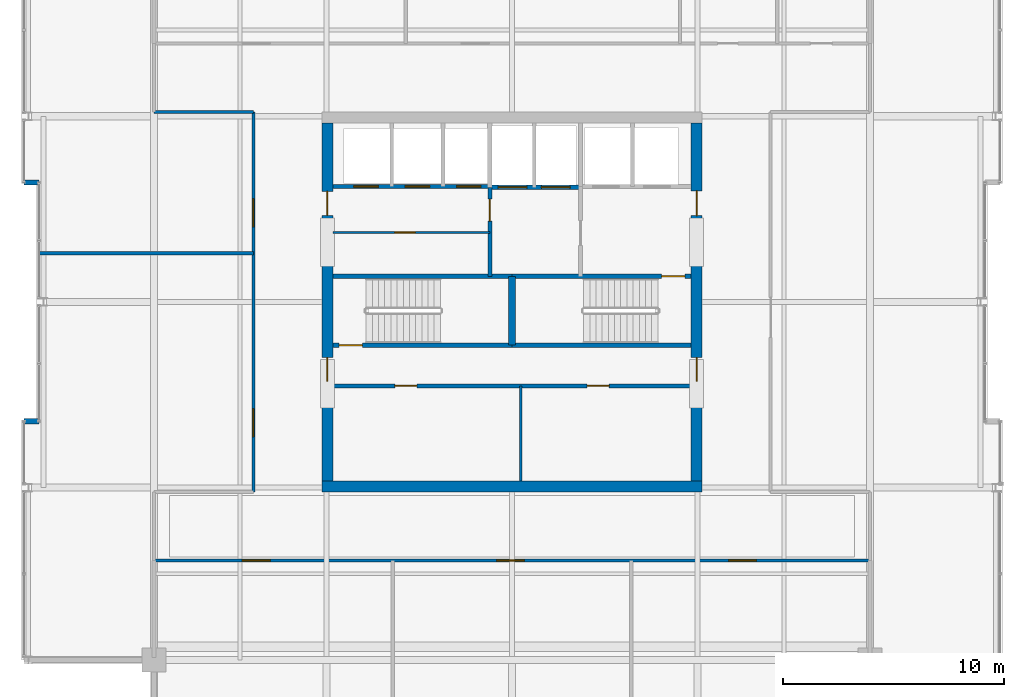
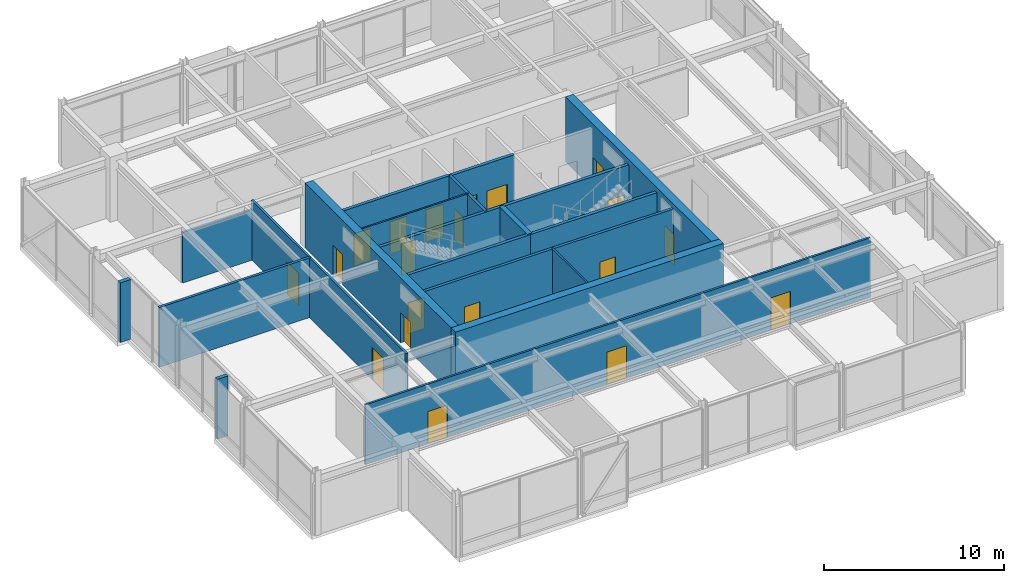
# One storey, part 29 of 33: 20 doors, 20 walls, 20 openings.
"""IFC4 building model written with IfcOpenShell, lengths in metres."""

from ifc_helpers import new_model, si_unit, direction, frame, frame_2d, origin, place, context, subcontext, project, spatial, rectangle, extrude, material, layer, layer_set, type_object, element, fill, save


model = new_model("IFC4")

# Units and contexts
model_context = context("Model", 3, precision=1e-05, world=origin(), true_north=direction((0.0, 1.0)))
body_context = subcontext(model_context, "Body", "Model", "MODEL_VIEW")
ifc_project = project(units=[si_unit("LENGTHUNIT", "METRE"), si_unit("AREAUNIT", "SQUARE_METRE"), si_unit("VOLUMEUNIT", "CUBIC_METRE"), si_unit("PLANEANGLEUNIT", "RADIAN"), si_unit("MASSUNIT", "GRAM", prefix="KILO")], contexts=[model_context])

# Site, building, storey
site_placement = place(None, origin())
site = spatial("IfcSite", under=ifc_project, at=site_placement, CompositionType="ELEMENT")
building_placement = place(site_placement, origin())
building = spatial("IfcBuilding", under=site, at=building_placement, Name="Drelvath Grand Hotel", CompositionType="ELEMENT")
storey_placement = place(building_placement, frame((0.0, 0.0, 298.60009765625)))
storey = spatial("IfcBuildingStorey", under=building, at=storey_placement, Name="L78", CompositionType="ELEMENT", Elevation=298.60009765625)

# Wall, opening, door
ifc_material_1 = material(Name="Gypsum Partition Board")
ifc_layer_1 = layer(ifc_material_1, 0.10009765625)
ifc_layer_set_1 = layer_set([ifc_layer_1], Name="Gypsum Partition Board")
wall_type_1 = type_object("IfcWallType", Name="Core Closet Partition 100", PredefinedType="PARTITIONING", material=ifc_layer_set_1)
wall_1_placement = place(storey_placement, frame((-8.10009765625, 30.139892578125, 0.0), z_axis=(0.0, 0.0, 1.0), x_axis=(1.0, 0.0, 0.0)))
wall_1 = element("IfcWall", 1, at=wall_1_placement, inside=storey, type_object=wall_type_1, Name="L78 High-Rise Lobby Closet Wall", PredefinedType="PARTITIONING", context=body_context, shape_type="SweptSolid", body=[
    extrude(rectangle(XDim=7.10009765625, YDim=0.10009765625, at=frame_2d((3.550048828125, 0.0))), origin(), (0.0, 0.0, 1.0), 4.0498046875),
])
opening_1_placement = place(wall_1_placement, frame((2.800048828125, 0.0, 0.0)))
opening_1 = element("IfcOpeningElement", 2, at=opening_1_placement, cuts=wall_1, Name="Opening D-L78-014", PredefinedType="OPENING", context=body_context, shape_type="SweptSolid", body=[
    extrude(rectangle(XDim=0.919921875, YDim=2.10009765625, at=frame_2d((0.4599609375, 1.050048828125))), frame((0.0, 0.06005859375, 0.0), z_axis=(0.0, -1.0, 0.0), x_axis=(1.0, 0.0, 0.0)), (0.0, 0.0, 1.0), 0.1201171875),
])
ifc_material_2 = material(Name="Painted Steel S275", Category="steel")
door_type_1 = type_object("IfcDoorType", Name="Staff Utility Door 920x2100", OperationType="NOTDEFINED", PredefinedType="DOOR", material=ifc_material_2)
door_1_placement = place(opening_1_placement, origin())
door_1 = element("IfcDoor", 3, at=door_1_placement, inside=storey, type_object=door_type_1, Name="L78 Core Telecom Door", OperationType="SINGLE_SWING_LEFT", OverallHeight=2.10009765625, OverallWidth=0.919921875, PredefinedType="DOOR", context=body_context, shape_type="SweptSolid", body=[
    extrude(rectangle(XDim=0.919921875, YDim=2.10009765625, at=frame_2d((0.4599609375, 1.050048828125))), frame((0.0, 0.02490234375, 0.0), z_axis=(0.0, -1.0, 0.0), x_axis=(1.0, 0.0, 0.0)), (0.0, 0.0, 1.0), 0.050048828125),
])
fill(opening_1, door_1)

# Wall
wall_2_placement = place(storey_placement, frame((0.39990234375, 18.89990234375, 0.0), z_axis=(0.0, 0.0, 1.0), x_axis=(0.0, 1.0, 0.0)))
element("IfcWall", 4, at=wall_2_placement, inside=storey, type_object=wall_type_1, Name="L78 Upper Core Split 0", PredefinedType="PARTITIONING", context=body_context, shape_type="SweptSolid", body=[
    extrude(rectangle(XDim=4.300048828125, YDim=0.10009765625, at=frame_2d((2.14990234375, 0.0))), origin(), (0.0, 0.0, 1.0), 4.0498046875),
])

# Wall, openings, doors
ifc_material_3 = material(Name="Concrete C40/50", Category="concrete")
ifc_layer_2 = layer(ifc_material_3, 0.199951171875)
ifc_layer_set_2 = layer_set([ifc_layer_2], Name="Concrete C40/50")
wall_type_2 = type_object("IfcWallType", Name="Core Hoistway Fire Wall 200", PredefinedType="SOLIDWALL", material=ifc_layer_set_2)
wall_3_placement = place(storey_placement, frame((-1.0, 32.179931640625, 0.0), z_axis=(0.0, 0.0, 1.0), x_axis=(1.0, 0.0, 0.0)))
wall_3 = element("IfcWall", 5, at=wall_3_placement, inside=storey, type_object=wall_type_2, Name="L78 Service Lift Hoistway Wall", PredefinedType="SOLIDWALL", context=body_context, shape_type="SweptSolid", body=[
    extrude(rectangle(XDim=4.10009765625, YDim=0.199951171875, at=frame_2d((2.050048828125, 0.0))), origin(), (0.0, 0.0, 1.0), 4.0498046875),
])
opening_2_placement = place(wall_3_placement, frame((0.3701171875, 0.0, 0.0)))
opening_2 = element("IfcOpeningElement", 6, at=opening_2_placement, cuts=wall_3, Name="Opening LD-SV-2", PredefinedType="OPENING", context=body_context, shape_type="SweptSolid", body=[
    extrude(rectangle(XDim=1.300048828125, YDim=2.199951171875, at=frame_2d((0.64990234375, 1.10009765625))), frame((0.0, 0.10986328125, 0.0), z_axis=(0.0, -1.0, 0.0), x_axis=(1.0, 0.0, 0.0)), (0.0, 0.0, 1.0), 0.219970703125),
])
opening_3_placement = place(wall_3_placement, frame((2.330078125, 0.0, 0.0)))
opening_3 = element("IfcOpeningElement", 7, at=opening_3_placement, cuts=wall_3, Name="Opening LD-SV-1", PredefinedType="OPENING", context=body_context, shape_type="SweptSolid", body=[
    extrude(rectangle(XDim=1.300048828125, YDim=2.199951171875, at=frame_2d((0.64990234375, 1.10009765625))), frame((0.0, 0.10986328125, 0.0), z_axis=(0.0, -1.0, 0.0), x_axis=(1.0, 0.0, 0.0)), (0.0, 0.0, 1.0), 0.219970703125),
])
ifc_material_4 = material(Name="Stainless Steel S355", Category="steel")
door_type_2 = type_object("IfcDoorType", Name="Service Lift Sliding Landing Door 1300x2200", OperationType="NOTDEFINED", PredefinedType="DOOR", material=ifc_material_4)
door_2_placement = place(opening_2_placement, origin())
door_2 = element("IfcDoor", 8, at=door_2_placement, inside=storey, type_object=door_type_2, Name="L78 Lift SV-2 Landing Door", OperationType="SLIDING_TO_LEFT", OverallHeight=2.199951171875, OverallWidth=1.300048828125, PredefinedType="DOOR", context=body_context, shape_type="SweptSolid", body=[
    extrude(rectangle(XDim=1.300048828125, YDim=2.199951171875, at=frame_2d((0.64990234375, 1.10009765625))), frame((0.0, 0.02490234375, 0.0), z_axis=(0.0, -1.0, 0.0), x_axis=(1.0, 0.0, 0.0)), (0.0, 0.0, 1.0), 0.050048828125),
])
fill(opening_2, door_2)
door_3_placement = place(opening_3_placement, origin())
door_3 = element("IfcDoor", 9, at=door_3_placement, inside=storey, type_object=door_type_2, Name="L78 Lift SV-1 Landing Door", OperationType="SLIDING_TO_LEFT", OverallHeight=2.199951171875, OverallWidth=1.300048828125, PredefinedType="DOOR", context=body_context, shape_type="SweptSolid", body=[
    extrude(rectangle(XDim=1.300048828125, YDim=2.199951171875, at=frame_2d((0.64990234375, 1.10009765625))), frame((0.0, 0.02490234375, 0.0), z_axis=(0.0, -1.0, 0.0), x_axis=(1.0, 0.0, 0.0)), (0.0, 0.0, 1.0), 0.050048828125),
])
fill(opening_3, door_3)

wall_4_placement = place(storey_placement, frame((-8.10009765625, 32.219970703125, 0.0), z_axis=(0.0, 0.0, 1.0), x_axis=(1.0, 0.0, 0.0)))
wall_4 = element("IfcWall", 10, at=wall_4_placement, inside=storey, type_object=wall_type_2, Name="L78 Bank 3 Hoistway Wall", PredefinedType="SOLIDWALL", context=body_context, shape_type="SweptSolid", body=[
    extrude(rectangle(XDim=7.10009765625, YDim=0.199951171875, at=frame_2d((3.550048828125, 0.0))), origin(), (0.0, 0.0, 1.0), 4.0498046875),
])
opening_4_placement = place(wall_4_placement, frame((0.949951171875, 0.0, 0.0)))
opening_4 = element("IfcOpeningElement", 11, at=opening_4_placement, cuts=wall_4, Name="Opening LD-PE-7", PredefinedType="OPENING", context=body_context, shape_type="SweptSolid", body=[
    extrude(rectangle(XDim=1.10009765625, YDim=2.199951171875, at=frame_2d((0.550048828125, 1.10009765625))), frame((0.0, 0.10986328125, 0.0), z_axis=(0.0, -1.0, 0.0), x_axis=(1.0, 0.0, 0.0)), (0.0, 0.0, 1.0), 0.219970703125),
])
opening_5_placement = place(wall_4_placement, frame((3.27001953125, 0.0, 0.0)))
opening_5 = element("IfcOpeningElement", 12, at=opening_5_placement, cuts=wall_4, Name="Opening LD-PE-8", PredefinedType="OPENING", context=body_context, shape_type="SweptSolid", body=[
    extrude(rectangle(XDim=1.10009765625, YDim=2.199951171875, at=frame_2d((0.550048828125, 1.10009765625))), frame((0.0, 0.10986328125, 0.0), z_axis=(0.0, -1.0, 0.0), x_axis=(1.0, 0.0, 0.0)), (0.0, 0.0, 1.0), 0.219970703125),
])
opening_6_placement = place(wall_4_placement, frame((5.590087890625, 0.0, 0.0)))
opening_6 = element("IfcOpeningElement", 13, at=opening_6_placement, cuts=wall_4, Name="Opening LD-PE-9", PredefinedType="OPENING", context=body_context, shape_type="SweptSolid", body=[
    extrude(rectangle(XDim=1.10009765625, YDim=2.199951171875, at=frame_2d((0.550048828125, 1.10009765625))), frame((0.0, 0.10986328125, 0.0), z_axis=(0.0, -1.0, 0.0), x_axis=(1.0, 0.0, 0.0)), (0.0, 0.0, 1.0), 0.219970703125),
])
door_type_3 = type_object("IfcDoorType", Name="Passenger Lift Sliding Landing Door 1100x2200", OperationType="NOTDEFINED", PredefinedType="DOOR", material=ifc_material_4)
door_4_placement = place(opening_4_placement, origin())
door_4 = element("IfcDoor", 14, at=door_4_placement, inside=storey, type_object=door_type_3, Name="L78 Lift PE-7 Landing Door", OperationType="SLIDING_TO_LEFT", OverallHeight=2.199951171875, OverallWidth=1.10009765625, PredefinedType="DOOR", context=body_context, shape_type="SweptSolid", body=[
    extrude(rectangle(XDim=1.10009765625, YDim=2.199951171875, at=frame_2d((0.550048828125, 1.10009765625))), frame((0.0, 0.02490234375, 0.0), z_axis=(0.0, -1.0, 0.0), x_axis=(1.0, 0.0, 0.0)), (0.0, 0.0, 1.0), 0.050048828125),
])
fill(opening_4, door_4)
door_5_placement = place(opening_5_placement, origin())
door_5 = element("IfcDoor", 15, at=door_5_placement, inside=storey, type_object=door_type_3, Name="L78 Lift PE-8 Landing Door", OperationType="SLIDING_TO_LEFT", OverallHeight=2.199951171875, OverallWidth=1.10009765625, PredefinedType="DOOR", context=body_context, shape_type="SweptSolid", body=[
    extrude(rectangle(XDim=1.10009765625, YDim=2.199951171875, at=frame_2d((0.550048828125, 1.10009765625))), frame((0.0, 0.02490234375, 0.0), z_axis=(0.0, -1.0, 0.0), x_axis=(1.0, 0.0, 0.0)), (0.0, 0.0, 1.0), 0.050048828125),
])
fill(opening_5, door_5)
door_6_placement = place(opening_6_placement, origin())
door_6 = element("IfcDoor", 16, at=door_6_placement, inside=storey, type_object=door_type_3, Name="L78 Lift PE-9 Landing Door", OperationType="SLIDING_TO_LEFT", OverallHeight=2.199951171875, OverallWidth=1.10009765625, PredefinedType="DOOR", context=body_context, shape_type="SweptSolid", body=[
    extrude(rectangle(XDim=1.10009765625, YDim=2.199951171875, at=frame_2d((0.550048828125, 1.10009765625))), frame((0.0, 0.02490234375, 0.0), z_axis=(0.0, -1.0, 0.0), x_axis=(1.0, 0.0, 0.0)), (0.0, 0.0, 1.0), 0.050048828125),
])
fill(opening_6, door_6)

# Wall, opening, door
ifc_layer_3 = layer(ifc_material_3, 0.199951171875)
ifc_layer_set_3 = layer_set([ifc_layer_3], Name="Concrete C40/50")
wall_type_3 = type_object("IfcWallType", Name="Core Shaft Fire Wall 200", PredefinedType="SOLIDWALL", material=ifc_layer_set_3)
wall_5_placement = place(storey_placement, frame((-8.10009765625, 25.0400390625, 0.0), z_axis=(0.0, 0.0, 1.0), x_axis=(1.0, 0.0, 0.0)))
wall_5 = element("IfcWall", 17, at=wall_5_placement, inside=storey, type_object=wall_type_3, Name="L78 Stair ST-1 South Wall", PredefinedType="SOLIDWALL", context=body_context, shape_type="SweptSolid", body=[
    extrude(rectangle(XDim=8.10009765625, YDim=0.199951171875, at=frame_2d((4.050048828125, 0.0))), origin(), (0.0, 0.0, 1.0), 4.0498046875),
])
opening_7_placement = place(wall_5_placement, frame((0.280029296875, 0.0, 0.0)))
opening_7 = element("IfcOpeningElement", 18, at=opening_7_placement, cuts=wall_5, Name="Opening D-L78-001", PredefinedType="OPENING", context=body_context, shape_type="SweptSolid", body=[
    extrude(rectangle(XDim=1.050048828125, YDim=2.10009765625, at=frame_2d((0.52490234375, 1.050048828125))), frame((0.0, 0.10986328125, 0.0), z_axis=(0.0, -1.0, 0.0), x_axis=(1.0, 0.0, 0.0)), (0.0, 0.0, 1.0), 0.219970703125),
])
door_type_4 = type_object("IfcDoorType", Name="Tower Stairwell Fire Door 1050x2100", OperationType="NOTDEFINED", PredefinedType="DOOR", material=ifc_material_2)
door_7_placement = place(opening_7_placement, origin())
door_7 = element("IfcDoor", 19, at=door_7_placement, inside=storey, type_object=door_type_4, Name="L78 Exit Stair ST-1 Door", OperationType="SINGLE_SWING_LEFT", OverallHeight=2.10009765625, OverallWidth=1.050048828125, PredefinedType="DOOR", context=body_context, shape_type="SweptSolid", body=[
    extrude(rectangle(XDim=1.050048828125, YDim=2.10009765625, at=frame_2d((0.52490234375, 1.050048828125))), frame((0.0, 0.02490234375, 0.0), z_axis=(0.0, -1.0, 0.0), x_axis=(1.0, 0.0, 0.0)), (0.0, 0.0, 1.0), 0.050048828125),
])
fill(opening_7, door_7)

# Walls
for number, where, z_axis, x_axis, name in (
    (20, (-8.10009765625, 28.159912109375, 0.0), (0.0, 0.0, 1.0), (1.0, 0.0, 0.0), "L78 Stair ST-1 North Wall"),
    (21, (0.0, 25.0400390625, 0.0), (0.0, 0.0, 1.0), (1.0, 0.0, 0.0), "L78 Stair ST-2 South Wall"),
):
    element("IfcWall", number, at=place(storey_placement, frame(where, z_axis=z_axis, x_axis=x_axis)), inside=storey, type_object=wall_type_3, Name=name, PredefinedType="SOLIDWALL", context=body_context, shape_type="SweptSolid", body=[
        extrude(rectangle(XDim=8.10009765625, YDim=0.199951171875, at=frame_2d((4.050048828125, 0.0))), origin(), (0.0, 0.0, 1.0), 4.0498046875),
    ])

# Wall, opening, door
wall_6_placement = place(storey_placement, frame((8.10009765625, 28.159912109375, 0.0), z_axis=(0.0, 0.0, 1.0), x_axis=(-1.0, 0.0, 0.0)))
wall_6 = element("IfcWall", 22, at=wall_6_placement, inside=storey, type_object=wall_type_3, Name="L78 Stair ST-2 North Wall", PredefinedType="SOLIDWALL", context=body_context, shape_type="SweptSolid", body=[
    extrude(rectangle(XDim=8.10009765625, YDim=0.199951171875, at=frame_2d((4.050048828125, 0.0))), origin(), (0.0, 0.0, 1.0), 4.0498046875),
])
opening_8_placement = place(wall_6_placement, frame((0.280029296875, 0.0, 0.0)))
opening_8 = element("IfcOpeningElement", 23, at=opening_8_placement, cuts=wall_6, Name="Opening D-L78-002", PredefinedType="OPENING", context=body_context, shape_type="SweptSolid", body=[
    extrude(rectangle(XDim=1.050048828125, YDim=2.10009765625, at=frame_2d((0.52490234375, 1.050048828125))), frame((0.0, 0.10986328125, 0.0), z_axis=(0.0, -1.0, 0.0), x_axis=(1.0, 0.0, 0.0)), (0.0, 0.0, 1.0), 0.219970703125),
])
door_8_placement = place(opening_8_placement, origin())
door_8 = element("IfcDoor", 24, at=door_8_placement, inside=storey, type_object=door_type_4, Name="L78 Exit Stair ST-2 Door", OperationType="SINGLE_SWING_LEFT", OverallHeight=2.10009765625, OverallWidth=1.050048828125, PredefinedType="DOOR", context=body_context, shape_type="SweptSolid", body=[
    extrude(rectangle(XDim=1.050048828125, YDim=2.10009765625, at=frame_2d((0.52490234375, 1.050048828125))), frame((0.0, 0.02490234375, 0.0), z_axis=(0.0, -1.0, 0.0), x_axis=(1.0, 0.0, 0.0)), (0.0, 0.0, 1.0), 0.050048828125),
])
fill(opening_8, door_8)

# Wall
ifc_layer_4 = layer(ifc_material_3, 0.300048828125)
ifc_layer_set_4 = layer_set([ifc_layer_4], Name="Concrete C40/50")
wall_type_4 = type_object("IfcWallType", Name="Core Shaft Fire Wall 300", PredefinedType="SOLIDWALL", material=ifc_layer_set_4)
wall_7_placement = place(storey_placement, frame((0.0, 25.0400390625, 0.0), z_axis=(0.0, 0.0, 1.0), x_axis=(0.0, 1.0, 0.0)))
element("IfcWall", 25, at=wall_7_placement, inside=storey, type_object=wall_type_4, Name="L78 Core Stair Divider Wall", PredefinedType="SOLIDWALL", context=body_context, shape_type="SweptSolid", body=[
    extrude(rectangle(XDim=3.119873046875, YDim=0.300048828125, at=frame_2d((1.56005859375, 0.0))), origin(), (0.0, 0.0, 1.0), 4.0498046875),
])

# Wall, openings, doors
ifc_material_5 = material(Name="Gypsum Fireboard Partition")
ifc_layer_5 = layer(ifc_material_5, 0.135009765625)
ifc_layer_set_5 = layer_set([ifc_layer_5], Name="Gypsum Fireboard Partition")
wall_type_5 = type_object("IfcWallType", Name="Corridor Fire Barrier Wall 135", PredefinedType="PARTITIONING", material=ifc_layer_set_5)
wall_8_placement = place(storey_placement, frame((-16.199951171875, 15.300048828125, 0.0), z_axis=(0.0, 0.0, 1.0), x_axis=(1.0, 0.0, 0.0)))
wall_8 = element("IfcWall", 26, at=wall_8_placement, inside=storey, type_object=wall_type_5, Name="L78 Sky South Foyer Wall", PredefinedType="PARTITIONING", context=body_context, shape_type="SweptSolid", body=[
    extrude(rectangle(XDim=32.39990234375, YDim=0.135009765625, at=frame_2d((16.199951171875, 0.0))), origin(), (0.0, 0.0, 1.0), 4.0498046875),
])
opening_9_placement = place(wall_8_placement, frame((4.0, 0.0, 0.0)))
opening_9 = element("IfcOpeningElement", 27, at=opening_9_placement, cuts=wall_8, Name="Opening D-L78-019", PredefinedType="OPENING", context=body_context, shape_type="SweptSolid", body=[
    extrude(rectangle(XDim=1.260009765625, YDim=2.199951171875, at=frame_2d((0.6298828125, 1.10009765625))), frame((0.0, 0.077392578125, 0.0), z_axis=(0.0, -1.0, 0.0), x_axis=(1.0, 0.0, 0.0)), (0.0, 0.0, 1.0), 0.155029296875),
])
opening_10_placement = place(wall_8_placement, frame((15.5, 0.0, 0.0)))
opening_10 = element("IfcOpeningElement", 28, at=opening_10_placement, cuts=wall_8, Name="Opening D-L78-020", PredefinedType="OPENING", context=body_context, shape_type="SweptSolid", body=[
    extrude(rectangle(XDim=1.260009765625, YDim=2.199951171875, at=frame_2d((0.6298828125, 1.10009765625))), frame((0.0, 0.077392578125, 0.0), z_axis=(0.0, -1.0, 0.0), x_axis=(1.0, 0.0, 0.0)), (0.0, 0.0, 1.0), 0.155029296875),
])
opening_11_placement = place(wall_8_placement, frame((26.0, 0.0, 0.0)))
opening_11 = element("IfcOpeningElement", 29, at=opening_11_placement, cuts=wall_8, Name="Opening D-L78-021", PredefinedType="OPENING", context=body_context, shape_type="SweptSolid", body=[
    extrude(rectangle(XDim=1.260009765625, YDim=2.199951171875, at=frame_2d((0.6298828125, 1.10009765625))), frame((0.0, 0.077392578125, 0.0), z_axis=(0.0, -1.0, 0.0), x_axis=(1.0, 0.0, 0.0)), (0.0, 0.0, 1.0), 0.155029296875),
])
ifc_material_6 = material(Name="Hardwood Walnut Timber", Category="wood")
door_type_5 = type_object("IfcDoorType", Name="Suite Entrance Fire Door 1260x2200", OperationType="NOTDEFINED", PredefinedType="DOOR", material=ifc_material_6)
door_9_placement = place(opening_9_placement, origin())
door_9 = element("IfcDoor", 30, at=door_9_placement, inside=storey, type_object=door_type_5, Name="L78 Crown Champagne Sky Bar Door", OperationType="SINGLE_SWING_RIGHT", OverallHeight=2.199951171875, OverallWidth=1.260009765625, PredefinedType="DOOR", context=body_context, shape_type="SweptSolid", body=[
    extrude(rectangle(XDim=1.260009765625, YDim=2.199951171875, at=frame_2d((0.6298828125, 1.10009765625))), frame((0.0, 0.02490234375, 0.0), z_axis=(0.0, -1.0, 0.0), x_axis=(1.0, 0.0, 0.0)), (0.0, 0.0, 1.0), 0.050048828125),
])
fill(opening_9, door_9)
door_10_placement = place(opening_10_placement, origin())
door_10 = element("IfcDoor", 31, at=door_10_placement, inside=storey, type_object=door_type_5, Name="L78 Jazz Cocktail Lounge Door", OperationType="SINGLE_SWING_LEFT", OverallHeight=2.199951171875, OverallWidth=1.260009765625, PredefinedType="DOOR", context=body_context, shape_type="SweptSolid", body=[
    extrude(rectangle(XDim=1.260009765625, YDim=2.199951171875, at=frame_2d((0.6298828125, 1.10009765625))), frame((0.0, 0.02490234375, 0.0), z_axis=(0.0, -1.0, 0.0), x_axis=(1.0, 0.0, 0.0)), (0.0, 0.0, 1.0), 0.050048828125),
])
fill(opening_10, door_10)
door_11_placement = place(opening_11_placement, origin())
door_11 = element("IfcDoor", 32, at=door_11_placement, inside=storey, type_object=door_type_5, Name="L78 Cognac Library Door", OperationType="SINGLE_SWING_RIGHT", OverallHeight=2.199951171875, OverallWidth=1.260009765625, PredefinedType="DOOR", context=body_context, shape_type="SweptSolid", body=[
    extrude(rectangle(XDim=1.260009765625, YDim=2.199951171875, at=frame_2d((0.6298828125, 1.10009765625))), frame((0.0, 0.02490234375, 0.0), z_axis=(0.0, -1.0, 0.0), x_axis=(1.0, 0.0, 0.0)), (0.0, 0.0, 1.0), 0.050048828125),
])
fill(opening_11, door_11)

# Wall
wall_9_placement = place(storey_placement, frame((-16.199951171875, 35.60009765625, 0.0), z_axis=(0.0, 0.0, 1.0), x_axis=(1.0, 0.0, 0.0)))
element("IfcWall", 33, at=wall_9_placement, inside=storey, type_object=wall_type_5, Name="L78 Sky NW Spur Inner Wall", PredefinedType="PARTITIONING", context=body_context, shape_type="SweptSolid", body=[
    extrude(rectangle(XDim=4.5, YDim=0.135009765625, at=frame_2d((2.25, 0.0))), origin(), (0.0, 0.0, 1.0), 3.42724609375),
])

# Wall, openings, doors
wall_10_placement = place(storey_placement, frame((-11.699951171875, 18.39990234375, 0.0), z_axis=(0.0, 0.0, 1.0), x_axis=(0.0, 1.0, 0.0)))
wall_10 = element("IfcWall", 34, at=wall_10_placement, inside=storey, type_object=wall_type_5, Name="L78 Sky West Foyer Wall", PredefinedType="PARTITIONING", context=body_context, shape_type="SweptSolid", body=[
    extrude(rectangle(XDim=17.2001953125, YDim=0.135009765625, at=frame_2d((8.60009765625, 0.0))), origin(), (0.0, 0.0, 1.0), 4.0498046875),
])
opening_12_placement = place(wall_10_placement, frame((2.5, 0.0, 0.0)))
opening_12 = element("IfcOpeningElement", 35, at=opening_12_placement, cuts=wall_10, Name="Opening D-L78-026", PredefinedType="OPENING", context=body_context, shape_type="SweptSolid", body=[
    extrude(rectangle(XDim=1.260009765625, YDim=2.199951171875, at=frame_2d((0.6298828125, 1.10009765625))), frame((0.0, 0.077392578125, 0.0), z_axis=(0.0, -1.0, 0.0), x_axis=(1.0, 0.0, 0.0)), (0.0, 0.0, 1.0), 0.155029296875),
])
opening_13_placement = place(wall_10_placement, frame((12.0, 0.0, 0.0)))
opening_13 = element("IfcOpeningElement", 36, at=opening_13_placement, cuts=wall_10, Name="Opening D-L78-027", PredefinedType="OPENING", context=body_context, shape_type="SweptSolid", body=[
    extrude(rectangle(XDim=1.260009765625, YDim=2.199951171875, at=frame_2d((0.6298828125, 1.10009765625))), frame((0.0, 0.077392578125, 0.0), z_axis=(0.0, -1.0, 0.0), x_axis=(1.0, 0.0, 0.0)), (0.0, 0.0, 1.0), 0.155029296875),
])
door_12_placement = place(opening_12_placement, origin())
door_12 = element("IfcDoor", 37, at=door_12_placement, inside=storey, type_object=door_type_5, Name="L78 Private Sommelier Study Door", OperationType="SINGLE_SWING_LEFT", OverallHeight=2.199951171875, OverallWidth=1.260009765625, PredefinedType="DOOR", context=body_context, shape_type="SweptSolid", body=[
    extrude(rectangle(XDim=1.260009765625, YDim=2.199951171875, at=frame_2d((0.6298828125, 1.10009765625))), frame((0.0, 0.02490234375, 0.0), z_axis=(0.0, -1.0, 0.0), x_axis=(1.0, 0.0, 0.0)), (0.0, 0.0, 1.0), 0.050048828125),
])
fill(opening_12, door_12)
door_13_placement = place(opening_13_placement, origin())
door_13 = element("IfcDoor", 38, at=door_13_placement, inside=storey, type_object=door_type_5, Name="L78 Acoustic Velvet Lounge Door", OperationType="SINGLE_SWING_RIGHT", OverallHeight=2.199951171875, OverallWidth=1.260009765625, PredefinedType="DOOR", context=body_context, shape_type="SweptSolid", body=[
    extrude(rectangle(XDim=1.260009765625, YDim=2.199951171875, at=frame_2d((0.6298828125, 1.10009765625))), frame((0.0, 0.02490234375, 0.0), z_axis=(0.0, -1.0, 0.0), x_axis=(1.0, 0.0, 0.0)), (0.0, 0.0, 1.0), 0.050048828125),
])
fill(opening_13, door_13)

# Wall, opening, door
ifc_layer_6 = layer(ifc_material_5, 0.179931640625)
ifc_layer_set_6 = layer_set([ifc_layer_6], Name="Gypsum Fireboard Partition")
wall_type_6 = type_object("IfcWallType", Name="FSAE Smoke Lobby Fire Wall 180", PredefinedType="SOLIDWALL", material=ifc_layer_set_6)
wall_11_placement = place(storey_placement, frame((-1.0, 28.159912109375, 0.0), z_axis=(0.0, 0.0, 1.0), x_axis=(0.0, 1.0, 0.0)))
wall_11 = element("IfcWall", 39, at=wall_11_placement, inside=storey, type_object=wall_type_6, Name="L78 Service Vestibule West Wall", PredefinedType="SOLIDWALL", context=body_context, shape_type="SweptSolid", body=[
    extrude(rectangle(XDim=4.02001953125, YDim=0.179931640625, at=frame_2d((2.010009765625, 0.0))), origin(), (0.0, 0.0, 1.0), 4.0498046875),
])
opening_14_placement = place(wall_11_placement, frame((2.489990234375, 0.0, 0.0)))
opening_14 = element("IfcOpeningElement", 40, at=opening_14_placement, cuts=wall_11, Name="Opening D-L78-009", PredefinedType="OPENING", context=body_context, shape_type="SweptSolid", body=[
    extrude(rectangle(XDim=1.0, YDim=2.10009765625, at=frame_2d((0.5, 1.050048828125))), frame((0.0, 0.099853515625, 0.0), z_axis=(0.0, -1.0, 0.0), x_axis=(1.0, 0.0, 0.0)), (0.0, 0.0, 1.0), 0.199951171875),
])
door_type_6 = type_object("IfcDoorType", Name="Core Service Fire Door 1000x2100", OperationType="NOTDEFINED", PredefinedType="DOOR", material=ifc_material_2)
door_14_placement = place(opening_14_placement, origin())
door_14 = element("IfcDoor", 41, at=door_14_placement, inside=storey, type_object=door_type_6, Name="L78 Service Vestibule West Door", OperationType="SINGLE_SWING_LEFT", OverallHeight=2.10009765625, OverallWidth=1.0, PredefinedType="DOOR", context=body_context, shape_type="SweptSolid", body=[
    extrude(rectangle(XDim=1.0, YDim=2.10009765625, at=frame_2d((0.5, 1.050048828125))), frame((0.0, 0.02490234375, 0.0), z_axis=(0.0, -1.0, 0.0), x_axis=(1.0, 0.0, 0.0)), (0.0, 0.0, 1.0), 0.050048828125),
])
fill(opening_14, door_14)

# Wall, openings, doors
wall_12_placement = place(storey_placement, frame((-8.10009765625, 23.199951171875, 0.0), z_axis=(0.0, 0.0, 1.0), x_axis=(1.0, 0.0, 0.0)))
wall_12 = element("IfcWall", 42, at=wall_12_placement, inside=storey, type_object=wall_type_6, Name="L78 Upper Reclaimed Core Wall", PredefinedType="SOLIDWALL", context=body_context, shape_type="SweptSolid", body=[
    extrude(rectangle(XDim=16.2001953125, YDim=0.179931640625, at=frame_2d((8.10009765625, 0.0))), origin(), (0.0, 0.0, 1.0), 4.0498046875),
])
opening_15_placement = place(wall_12_placement, frame((2.800048828125, 0.0, 0.0)))
opening_15 = element("IfcOpeningElement", 43, at=opening_15_placement, cuts=wall_12, Name="Opening D-L78-017", PredefinedType="OPENING", context=body_context, shape_type="SweptSolid", body=[
    extrude(rectangle(XDim=1.0, YDim=2.10009765625, at=frame_2d((0.5, 1.050048828125))), frame((0.0, 0.099853515625, 0.0), z_axis=(0.0, -1.0, 0.0), x_axis=(1.0, 0.0, 0.0)), (0.0, 0.0, 1.0), 0.199951171875),
])
opening_16_placement = place(wall_12_placement, frame((11.5, 0.0, 0.0)))
opening_16 = element("IfcOpeningElement", 44, at=opening_16_placement, cuts=wall_12, Name="Opening D-L78-018", PredefinedType="OPENING", context=body_context, shape_type="SweptSolid", body=[
    extrude(rectangle(XDim=1.0, YDim=2.10009765625, at=frame_2d((0.5, 1.050048828125))), frame((0.0, 0.099853515625, 0.0), z_axis=(0.0, -1.0, 0.0), x_axis=(1.0, 0.0, 0.0)), (0.0, 0.0, 1.0), 0.199951171875),
])
door_15_placement = place(opening_15_placement, origin())
door_15 = element("IfcDoor", 45, at=door_15_placement, inside=storey, type_object=door_type_6, Name="L78 Housekeeping Door", OperationType="SINGLE_SWING_RIGHT", OverallHeight=2.10009765625, OverallWidth=1.0, PredefinedType="DOOR", context=body_context, shape_type="SweptSolid", body=[
    extrude(rectangle(XDim=1.0, YDim=2.10009765625, at=frame_2d((0.5, 1.050048828125))), frame((0.0, 0.02490234375, 0.0), z_axis=(0.0, -1.0, 0.0), x_axis=(1.0, 0.0, 0.0)), (0.0, 0.0, 1.0), 0.050048828125),
])
fill(opening_15, door_15)
door_16_placement = place(opening_16_placement, origin())
door_16 = element("IfcDoor", 46, at=door_16_placement, inside=storey, type_object=door_type_6, Name="L78 Butler Pantry Door", OperationType="SINGLE_SWING_LEFT", OverallHeight=2.10009765625, OverallWidth=1.0, PredefinedType="DOOR", context=body_context, shape_type="SweptSolid", body=[
    extrude(rectangle(XDim=1.0, YDim=2.10009765625, at=frame_2d((0.5, 1.050048828125))), frame((0.0, 0.02490234375, 0.0), z_axis=(0.0, -1.0, 0.0), x_axis=(1.0, 0.0, 0.0)), (0.0, 0.0, 1.0), 0.050048828125),
])
fill(opening_16, door_16)

# Walls
ifc_material_7 = material(Name="Gypsum Acoustic Partition")
ifc_layer_7 = layer(ifc_material_7, 0.1650390625)
ifc_layer_set_7 = layer_set([ifc_layer_7], Name="Gypsum Acoustic Partition")
wall_type_7 = type_object("IfcWallType", Name="Suite Demising Wall 165", PredefinedType="PARTITIONING", material=ifc_layer_set_7)
wall_13_placement = place(storey_placement, frame((-21.39990234375, 29.199951171875, 0.0), z_axis=(0.0, 0.0, 1.0), x_axis=(1.0, 0.0, 0.0)))
element("IfcWall", 47, at=wall_13_placement, inside=storey, type_object=wall_type_7, Name="L78 Sky West Split", PredefinedType="PARTITIONING", context=body_context, shape_type="SweptSolid", body=[
    extrude(rectangle(XDim=9.699951171875, YDim=0.1650390625, at=frame_2d((4.85009765625, 0.0))), origin(), (0.0, 0.0, 1.0), 4.0498046875),
])
ifc_material_8 = material(Name="Pale-Metal Insulated Aluminium Spandrel Assembly", Category="aluminium")
ifc_layer_8 = layer(ifc_material_8, 0.239990234375)
ifc_layer_set_8 = layer_set([ifc_layer_8], Name="Pale-Metal Insulated Aluminium Spandrel Assembly")
wall_type_8 = type_object("IfcWallType", Name="Tower Insulated Metal Spandrel Closure Wall 240", PredefinedType="STANDARD", material=ifc_layer_set_8)
for number, where, z_axis, x_axis, name in (
    (48, (-22.080078125, 21.60009765625, 0.0), (0.0, 0.0, 1.0), (1.0, 0.0, 0.0), "L78 Notched Corner Return Spandrel Wall RW1"),
    (49, (-21.39990234375, 32.39990234375, 0.0), (0.0, 0.0, 1.0), (-1.0, 0.0, 0.0), "L78 Notched Corner Return Spandrel Wall RW2"),
):
    element("IfcWall", number, at=place(storey_placement, frame(where, z_axis=z_axis, x_axis=x_axis)), inside=storey, type_object=wall_type_8, Name=name, PredefinedType="STANDARD", context=body_context, shape_type="SweptSolid", body=[
        extrude(rectangle(XDim=0.68017578125, YDim=0.239990234375, at=frame_2d((0.340087890625, 0.0))), origin(), (0.0, 0.0, 1.0), 4.0498046875),
    ])

# Wall, openings, doors
ifc_material_9 = material(Name="Concrete f'c 55 MPa", Category="concrete")
ifc_layer_9 = layer(ifc_material_9, 0.5)
ifc_layer_set_9 = layer_set([ifc_layer_9], Name="Concrete f'c 55 MPa")
wall_type_9 = type_object("IfcWallType", Name="Upper Core RC Shear Wall 500", PredefinedType="SHEAR", material=ifc_layer_set_9)
wall_14_placement = place(storey_placement, frame((8.35009765625, 35.10009765625, 0.0), z_axis=(0.0, 0.0, 1.0), x_axis=(0.0, -1.0, 0.0)))
wall_14 = element("IfcWall", 50, at=wall_14_placement, inside=storey, type_object=wall_type_9, Name="L78 Central Core Shear Wall E", PredefinedType="SHEAR", context=body_context, shape_type="SweptSolid", body=[
    extrude(rectangle(XDim=16.2001953125, YDim=0.5, at=frame_2d((8.10009765625, 0.0))), origin(), (0.0, 0.0, 1.0), 4.39990234375),
])
opening_17_placement = place(wall_14_placement, frame((3.080078125, 0.0, 0.0)))
opening_17 = element("IfcOpeningElement", 51, at=opening_17_placement, cuts=wall_14, Name="Opening D-L78-006", PredefinedType="OPENING", context=body_context, shape_type="SweptSolid", body=[
    extrude(rectangle(XDim=1.1201171875, YDim=2.10009765625, at=frame_2d((0.56005859375, 1.050048828125))), frame((0.0, 0.260009765625, 0.0), z_axis=(0.0, -1.0, 0.0), x_axis=(1.0, 0.0, 0.0)), (0.0, 0.0, 1.0), 0.52001953125),
])
opening_18_placement = place(wall_14_placement, frame((10.6201171875, 0.0, 0.0)))
opening_18 = element("IfcOpeningElement", 52, at=opening_18_placement, cuts=wall_14, Name="Opening D-L78-016", PredefinedType="OPENING", context=body_context, shape_type="SweptSolid", body=[
    extrude(rectangle(XDim=1.080078125, YDim=2.0400390625, at=frame_2d((0.5400390625, 1.02001953125))), frame((0.0, 0.260009765625, 0.0), z_axis=(0.0, -1.0, 0.0), x_axis=(1.0, 0.0, 0.0)), (0.0, 0.0, 1.0), 0.52001953125),
])
door_type_7 = type_object("IfcDoorType", Name="Core Corridor Fire Door 1080x2100", OperationType="NOTDEFINED", PredefinedType="DOOR", material=ifc_material_2)
door_17_placement = place(opening_18_placement, origin())
door_17 = element("IfcDoor", 53, at=door_17_placement, inside=storey, type_object=door_type_7, Name="L78 Core Passage East Door", OperationType="SINGLE_SWING_LEFT", OverallHeight=2.0400390625, OverallWidth=1.080078125, PredefinedType="DOOR", context=body_context, shape_type="SweptSolid", body=[
    extrude(rectangle(XDim=1.080078125, YDim=2.0400390625, at=frame_2d((0.5400390625, 1.02001953125))), frame((0.0, 0.02490234375, 0.0), z_axis=(0.0, -1.0, 0.0), x_axis=(1.0, 0.0, 0.0)), (0.0, 0.0, 1.0), 0.050048828125),
])
fill(opening_18, door_17)
door_type_8 = type_object("IfcDoorType", Name="FSAE Smoke Lobby Fire Door 1120x2100", OperationType="NOTDEFINED", PredefinedType="DOOR", material=ifc_material_2)
door_18_placement = place(opening_17_placement, origin())
door_18 = element("IfcDoor", 54, at=door_18_placement, inside=storey, type_object=door_type_8, Name="L78 FSAE Lobby East Corridor Door", OperationType="SINGLE_SWING_LEFT", OverallHeight=2.10009765625, OverallWidth=1.1201171875, PredefinedType="DOOR", context=body_context, shape_type="SweptSolid", body=[
    extrude(rectangle(XDim=1.1201171875, YDim=2.10009765625, at=frame_2d((0.56005859375, 1.050048828125))), frame((0.0, 0.02490234375, 0.0), z_axis=(0.0, -1.0, 0.0), x_axis=(1.0, 0.0, 0.0)), (0.0, 0.0, 1.0), 0.050048828125),
])
fill(opening_17, door_18)

# Wall
wall_15_placement = place(storey_placement, frame((8.60009765625, 18.64990234375, 0.0), z_axis=(0.0, 0.0, 1.0), x_axis=(-1.0, 0.0, 0.0)))
element("IfcWall", 55, at=wall_15_placement, inside=storey, type_object=wall_type_9, Name="L78 Central Core Shear Wall S", PredefinedType="SHEAR", context=body_context, shape_type="SweptSolid", body=[
    extrude(rectangle(XDim=17.2001953125, YDim=0.5, at=frame_2d((8.60009765625, 0.0))), origin(), (0.0, 0.0, 1.0), 4.39990234375),
])

# Wall, openings, doors
wall_16_placement = place(storey_placement, frame((-8.35009765625, 18.89990234375, 0.0), z_axis=(0.0, 0.0, 1.0), x_axis=(0.0, 1.0, 0.0)))
wall_16 = element("IfcWall", 56, at=wall_16_placement, inside=storey, type_object=wall_type_9, Name="L78 Central Core Shear Wall W", PredefinedType="SHEAR", context=body_context, shape_type="SweptSolid", body=[
    extrude(rectangle(XDim=16.2001953125, YDim=0.5, at=frame_2d((8.10009765625, 0.0))), origin(), (0.0, 0.0, 1.0), 4.39990234375),
])
opening_19_placement = place(wall_16_placement, frame((12.02001953125, 0.0, 0.0)))
opening_19 = element("IfcOpeningElement", 57, at=opening_19_placement, cuts=wall_16, Name="Opening D-L78-013", PredefinedType="OPENING", context=body_context, shape_type="SweptSolid", body=[
    extrude(rectangle(XDim=1.080078125, YDim=2.0400390625, at=frame_2d((0.5400390625, 1.02001953125))), frame((0.0, 0.260009765625, 0.0), z_axis=(0.0, -1.0, 0.0), x_axis=(1.0, 0.0, 0.0)), (0.0, 0.0, 1.0), 0.52001953125),
])
opening_20_placement = place(wall_16_placement, frame((4.5, 0.0, 0.0)))
opening_20 = element("IfcOpeningElement", 58, at=opening_20_placement, cuts=wall_16, Name="Opening D-L78-015", PredefinedType="OPENING", context=body_context, shape_type="SweptSolid", body=[
    extrude(rectangle(XDim=1.080078125, YDim=2.0400390625, at=frame_2d((0.5400390625, 1.02001953125))), frame((0.0, 0.260009765625, 0.0), z_axis=(0.0, -1.0, 0.0), x_axis=(1.0, 0.0, 0.0)), (0.0, 0.0, 1.0), 0.52001953125),
])
door_19_placement = place(opening_19_placement, origin())
door_19 = element("IfcDoor", 59, at=door_19_placement, inside=storey, type_object=door_type_7, Name="L78 High-Rise Lift Lobby West Door", OperationType="SINGLE_SWING_RIGHT", OverallHeight=2.0400390625, OverallWidth=1.080078125, PredefinedType="DOOR", context=body_context, shape_type="SweptSolid", body=[
    extrude(rectangle(XDim=1.080078125, YDim=2.0400390625, at=frame_2d((0.5400390625, 1.02001953125))), frame((0.0, 0.02490234375, 0.0), z_axis=(0.0, -1.0, 0.0), x_axis=(1.0, 0.0, 0.0)), (0.0, 0.0, 1.0), 0.050048828125),
])
fill(opening_19, door_19)
door_20_placement = place(opening_20_placement, origin())
door_20 = element("IfcDoor", 60, at=door_20_placement, inside=storey, type_object=door_type_7, Name="L78 Core Passage West Door", OperationType="SINGLE_SWING_RIGHT", OverallHeight=2.0400390625, OverallWidth=1.080078125, PredefinedType="DOOR", context=body_context, shape_type="SweptSolid", body=[
    extrude(rectangle(XDim=1.080078125, YDim=2.0400390625, at=frame_2d((0.5400390625, 1.02001953125))), frame((0.0, 0.02490234375, 0.0), z_axis=(0.0, -1.0, 0.0), x_axis=(1.0, 0.0, 0.0)), (0.0, 0.0, 1.0), 0.050048828125),
])
fill(opening_20, door_20)

save(model, "model.ifc")
